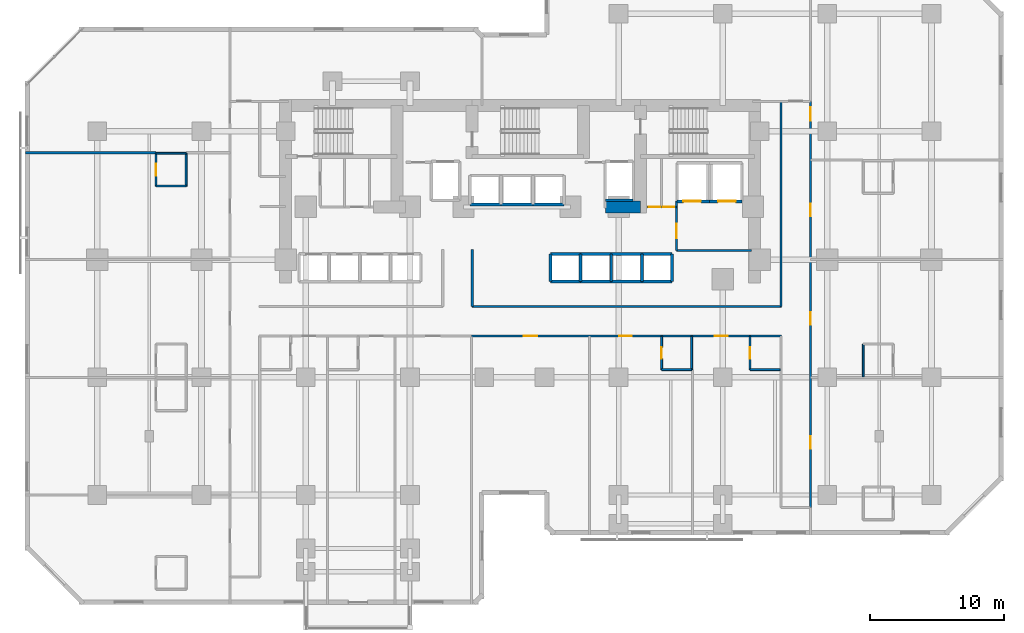
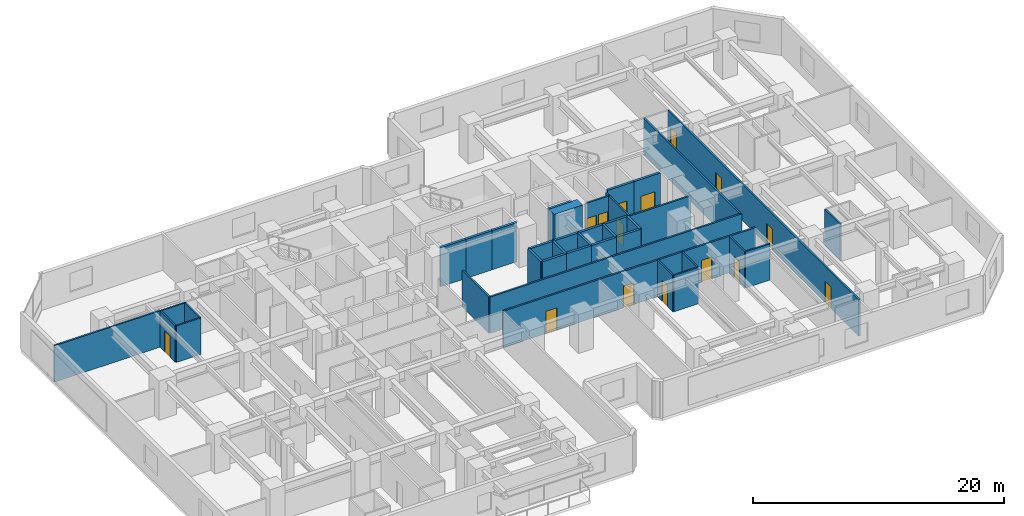
# One storey, part 7 of 12: 39 walls, 15 doors, 15 openings.
"""IFC4 building model written with IfcOpenShell, lengths in metres."""

from ifc_helpers import new_model, si_unit, direction, frame, frame_2d, origin, place, context, subcontext, project, spatial, rectangle, extrude, material, layer, layer_set, type_object, element, fill, save


model = new_model("IFC4")

# Units and contexts
model_context = context("Model", 3, precision=1e-05, world=origin(), true_north=direction((0.0, 1.0)))
body_context = subcontext(model_context, "Body", "Model", "MODEL_VIEW")
ifc_project = project(units=[si_unit("LENGTHUNIT", "METRE"), si_unit("AREAUNIT", "SQUARE_METRE"), si_unit("VOLUMEUNIT", "CUBIC_METRE"), si_unit("PLANEANGLEUNIT", "RADIAN"), si_unit("MASSUNIT", "GRAM", prefix="KILO")], contexts=[model_context])

# Site, building, storey
site_placement = place(None, origin())
site = spatial("IfcSite", under=ifc_project, at=site_placement, CompositionType="ELEMENT")
building_placement = place(site_placement, origin())
building = spatial("IfcBuilding", under=site, at=building_placement, Name="Kestravale Grand Hotel", CompositionType="ELEMENT")
storey_placement = place(building_placement, frame((0.0, 0.0, 56.39990234375)))
storey = spatial("IfcBuildingStorey", under=building, at=storey_placement, Name="L13", CompositionType="ELEMENT", Elevation=56.39990234375)

# Wall
ifc_material_1 = material(Name="Concrete f'c 70 MPa", Category="concrete")
ifc_layer_1 = layer(ifc_material_1, 0.89990234375)
ifc_layer_set_1 = layer_set([ifc_layer_1], Name="EW-CORE-900")
wall_type_1 = type_object("IfcWallType", Name="EW-CORE-900", PredefinedType="SHEAR", material=ifc_layer_set_1)
wall_1_placement = place(storey_placement, frame((45.81005859375, 32.75, 0.0), z_axis=(0.0, 0.0, 1.0), x_axis=(1.0, 0.0, 0.0)))
element("IfcWall", 1, at=wall_1_placement, inside=storey, type_object=wall_type_1, Name="L13 core shear wall S2", PredefinedType="SHEAR", context=body_context, shape_type="SweptSolid", body=[
    extrude(rectangle(XDim=2.639892578125, YDim=0.89990234375, at=frame_2d((1.31982421875, 0.0))), origin(), (0.0, 0.0, 1.0), 3.800048828125),
])

# Wall, opening, door
ifc_material_2 = material(Name="Acoustic fire-rated gypsum board partition", Category="other")
ifc_layer_2 = layer(ifc_material_2, 0.159912109375)
ifc_layer_set_2 = layer_set([ifc_layer_2], Name="IW-CORR-160")
wall_type_2 = type_object("IfcWallType", Name="IW-CORR-160", PredefinedType="PARTITIONING", material=ifc_layer_set_2)
wall_2_placement = place(storey_placement, frame((51.1201171875, 29.5, 0.0), z_axis=(0.0, 0.0, 1.0), x_axis=(0.0, 1.0, 0.0)))
wall_2 = element("IfcWall", 2, at=wall_2_placement, inside=storey, type_object=wall_type_2, Name="W-L13-SVCLOB-W", PredefinedType="PARTITIONING", context=body_context, shape_type="SweptSolid", body=[
    extrude(rectangle(XDim=3.699951171875, YDim=0.159912109375, at=frame_2d((1.85009765625, 0.0))), origin(), (0.0, 0.0, 1.0), 3.5400390625),
])
opening_1_placement = place(wall_2_placement, frame((0.89990234375, 0.0, 0.0)))
opening_1 = element("IfcOpeningElement", 3, at=opening_1_placement, cuts=wall_2, Name="Opening D-CORR-1100", PredefinedType="OPENING", context=body_context, shape_type="SweptSolid", body=[
    extrude(rectangle(XDim=1.10009765625, YDim=2.14990234375, at=frame_2d((0.550048828125, 1.074951171875))), frame((0.0, 0.08984375, 0.0), z_axis=(0.0, -1.0, 0.0), x_axis=(1.0, 0.0, 0.0)), (0.0, 0.0, 1.0), 0.179931640625),
])
ifc_material_3 = material(Name="Single-leaf service vestibule fire door", Category="steel")
door_type_1 = type_object("IfcDoorType", Name="D-CORR-1100", OperationType="NOTDEFINED", PredefinedType="DOOR", material=ifc_material_3)
door_1_placement = place(opening_1_placement, origin())
door_1 = element("IfcDoor", 4, at=door_1_placement, inside=storey, type_object=door_type_1, Name="L13 service lift lobby door", OperationType="SINGLE_SWING_LEFT", OverallHeight=2.14990234375, OverallWidth=1.10009765625, PredefinedType="DOOR", context=body_context, shape_type="SweptSolid", body=[
    extrude(rectangle(XDim=1.10009765625, YDim=2.14990234375, at=frame_2d((0.550048828125, 1.074951171875))), frame((0.0, 0.02490234375, 0.0), z_axis=(0.0, -1.0, 0.0), x_axis=(1.0, 0.0, 0.0)), (0.0, 0.0, 1.0), 0.050048828125),
])
fill(opening_1, door_1)

# Wall
wall_3_placement = place(storey_placement, frame((51.1201171875, 29.5, 0.0), z_axis=(0.0, 0.0, 1.0), x_axis=(1.0, 0.0, 0.0)))
element("IfcWall", 5, at=wall_3_placement, inside=storey, type_object=wall_type_2, Name="L13 service lift lobby wall", PredefinedType="PARTITIONING", context=body_context, shape_type="SweptSolid", body=[
    extrude(rectangle(XDim=5.6298828125, YDim=0.159912109375, at=frame_2d((2.81494140625, 0.0))), origin(), (0.0, 0.0, 1.0), 3.5400390625),
])

# Wall, openings, doors
wall_4_placement = place(storey_placement, frame((48.919921875, 32.75, 0.0), z_axis=(0.0, 0.0, 1.0), x_axis=(1.0, 0.0, 0.0)))
wall_4 = element("IfcWall", 6, at=wall_4_placement, inside=storey, type_object=wall_type_2, Name="W-L13-CES", PredefinedType="PARTITIONING", context=body_context, shape_type="SweptSolid", body=[
    extrude(rectangle(XDim=2.2001953125, YDim=0.159912109375, at=frame_2d((1.10009765625, 0.0))), origin(), (0.0, 0.0, 1.0), 3.5400390625),
])
opening_2_placement = place(wall_4_placement, frame((0.139892578125, 0.0, 0.0)))
opening_2 = element("IfcOpeningElement", 7, at=opening_2_placement, cuts=wall_4, Name="Opening D-SH-860", PredefinedType="OPENING", context=body_context, shape_type="SweptSolid", body=[
    extrude(rectangle(XDim=0.860107421875, YDim=2.050048828125, at=frame_2d((0.43017578125, 1.02490234375))), frame((0.0, 0.08984375, 0.0), z_axis=(0.0, -1.0, 0.0), x_axis=(1.0, 0.0, 0.0)), (0.0, 0.0, 1.0), 0.179931640625),
])
opening_3_placement = place(wall_4_placement, frame((1.199951171875, 0.0, 0.0)))
opening_3 = element("IfcOpeningElement", 8, at=opening_3_placement, cuts=wall_4, Name="Opening D-SH-860", PredefinedType="OPENING", context=body_context, shape_type="SweptSolid", body=[
    extrude(rectangle(XDim=0.860107421875, YDim=2.050048828125, at=frame_2d((0.43017578125, 1.02490234375))), frame((0.0, 0.08984375, 0.0), z_axis=(0.0, -1.0, 0.0), x_axis=(1.0, 0.0, 0.0)), (0.0, 0.0, 1.0), 0.179931640625),
])
ifc_material_4 = material(Name="Galvanised 90-minute riser fire door", Category="steel")
door_type_2 = type_object("IfcDoorType", Name="D-SH-860", OperationType="NOTDEFINED", PredefinedType="DOOR", material=ifc_material_4)
door_2_placement = place(opening_2_placement, origin())
door_2 = element("IfcDoor", 9, at=door_2_placement, inside=storey, type_object=door_type_2, Name="L13 CSTO1 door", OperationType="SINGLE_SWING_LEFT", OverallHeight=2.050048828125, OverallWidth=0.860107421875, PredefinedType="DOOR", context=body_context, shape_type="SweptSolid", body=[
    extrude(rectangle(XDim=0.860107421875, YDim=2.050048828125, at=frame_2d((0.43017578125, 1.02490234375))), frame((0.0, 0.02490234375, 0.0), z_axis=(0.0, -1.0, 0.0), x_axis=(1.0, 0.0, 0.0)), (0.0, 0.0, 1.0), 0.050048828125),
])
fill(opening_2, door_2)
door_3_placement = place(opening_3_placement, origin())
door_3 = element("IfcDoor", 10, at=door_3_placement, inside=storey, type_object=door_type_2, Name="L13 CSTO2 door", OperationType="SINGLE_SWING_RIGHT", OverallHeight=2.050048828125, OverallWidth=0.860107421875, PredefinedType="DOOR", context=body_context, shape_type="SweptSolid", body=[
    extrude(rectangle(XDim=0.860107421875, YDim=2.050048828125, at=frame_2d((0.43017578125, 1.02490234375))), frame((0.0, 0.02490234375, 0.0), z_axis=(0.0, -1.0, 0.0), x_axis=(1.0, 0.0, 0.0)), (0.0, 0.0, 1.0), 0.050048828125),
])
fill(opening_3, door_3)

# Walls
wall_5_placement = place(storey_placement, frame((35.85009765625, 25.31005859375, 0.0), z_axis=(0.0, 0.0, 1.0), x_axis=(1.0, 0.0, 0.0)))
element("IfcWall", 11, at=wall_5_placement, inside=storey, type_object=wall_type_2, Name="W-L13-CE-N", PredefinedType="PARTITIONING", context=body_context, shape_type="SweptSolid", body=[
    extrude(rectangle(XDim=23.14990234375, YDim=0.159912109375, at=frame_2d((11.574951171875, 0.0))), origin(), (0.0, 0.0, 1.0), 3.5400390625),
])
wall_6_placement = place(storey_placement, frame((35.85009765625, 25.31005859375, 0.0), z_axis=(0.0, 0.0, 1.0), x_axis=(0.0, 1.0, 0.0)))
element("IfcWall", 12, at=wall_6_placement, inside=storey, type_object=wall_type_2, Name="W-L13-TRUNK-E", PredefinedType="PARTITIONING", context=body_context, shape_type="SweptSolid", body=[
    extrude(rectangle(XDim=4.239990234375, YDim=0.159912109375, at=frame_2d((2.1201171875, 0.0))), origin(), (0.0, 0.0, 1.0), 3.5400390625),
])

# Wall, openings, doors
wall_7_placement = place(storey_placement, frame((35.800048828125, 23.090087890625, 0.0), z_axis=(0.0, 0.0, 1.0), x_axis=(1.0, 0.0, 0.0)))
wall_7 = element("IfcWall", 13, at=wall_7_placement, inside=storey, type_object=wall_type_2, Name="W-L13-CE-S", PredefinedType="PARTITIONING", context=body_context, shape_type="SweptSolid", body=[
    extrude(rectangle(XDim=23.199951171875, YDim=0.159912109375, at=frame_2d((11.60009765625, 0.0))), origin(), (0.0, 0.0, 1.0), 3.5400390625),
])
opening_4_placement = place(wall_7_placement, frame((3.90673828125, 0.0, 0.0)))
opening_4 = element("IfcOpeningElement", 14, at=opening_4_placement, cuts=wall_7, Name="Opening D-GUEST-1000", PredefinedType="OPENING", context=body_context, shape_type="SweptSolid", body=[
    extrude(rectangle(XDim=1.0, YDim=2.14990234375, at=frame_2d((0.5, 1.074951171875))), frame((0.0, 0.08984375, 0.0), z_axis=(0.0, -1.0, 0.0), x_axis=(1.0, 0.0, 0.0)), (0.0, 0.0, 1.0), 0.179931640625),
])
opening_5_placement = place(wall_7_placement, frame((11.0400390625, 0.0, 0.0)))
opening_5 = element("IfcOpeningElement", 15, at=opening_5_placement, cuts=wall_7, Name="Opening D-GUEST-950", PredefinedType="OPENING", context=body_context, shape_type="SweptSolid", body=[
    extrude(rectangle(XDim=0.949951171875, YDim=2.10009765625, at=frame_2d((0.47509765625, 1.050048828125))), frame((0.0, 0.08984375, 0.0), z_axis=(0.0, -1.0, 0.0), x_axis=(1.0, 0.0, 0.0)), (0.0, 0.0, 1.0), 0.179931640625),
])
opening_6_placement = place(wall_7_placement, frame((18.203369140625, 0.0, 0.0)))
opening_6 = element("IfcOpeningElement", 16, at=opening_6_placement, cuts=wall_7, Name="Opening D-GUEST-950", PredefinedType="OPENING", context=body_context, shape_type="SweptSolid", body=[
    extrude(rectangle(XDim=0.949951171875, YDim=2.10009765625, at=frame_2d((0.47509765625, 1.050048828125))), frame((0.0, 0.08984375, 0.0), z_axis=(0.0, -1.0, 0.0), x_axis=(1.0, 0.0, 0.0)), (0.0, 0.0, 1.0), 0.179931640625),
])
ifc_material_5 = material(Name="Accessible walnut veneer hotel entrance fire door", Category="wood")
door_type_3 = type_object("IfcDoorType", Name="D-GUEST-1000", OperationType="NOTDEFINED", PredefinedType="DOOR", material=ifc_material_5)
door_4_placement = place(opening_4_placement, origin())
door_4 = element("IfcDoor", 17, at=door_4_placement, inside=storey, type_object=door_type_3, Name="D-L13-AME", OperationType="SINGLE_SWING_RIGHT", OverallHeight=2.14990234375, OverallWidth=1.0, PredefinedType="DOOR", context=body_context, shape_type="SweptSolid", body=[
    extrude(rectangle(XDim=1.0, YDim=2.14990234375, at=frame_2d((0.5, 1.074951171875))), frame((0.0, 0.02490234375, 0.0), z_axis=(0.0, -1.0, 0.0), x_axis=(1.0, 0.0, 0.0)), (0.0, 0.0, 1.0), 0.050048828125),
])
fill(opening_4, door_4)
ifc_material_6 = material(Name="Walnut veneer hotel guestroom entrance fire door", Category="wood")
door_type_4 = type_object("IfcDoorType", Name="D-GUEST-950", OperationType="NOTDEFINED", PredefinedType="DOOR", material=ifc_material_6)
door_5_placement = place(opening_5_placement, origin())
door_5 = element("IfcDoor", 18, at=door_5_placement, inside=storey, type_object=door_type_4, Name="D-L13-U03-ENT", OperationType="SINGLE_SWING_RIGHT", OverallHeight=2.10009765625, OverallWidth=0.949951171875, PredefinedType="DOOR", context=body_context, shape_type="SweptSolid", body=[
    extrude(rectangle(XDim=0.949951171875, YDim=2.10009765625, at=frame_2d((0.47509765625, 1.050048828125))), frame((0.0, 0.02490234375, 0.0), z_axis=(0.0, -1.0, 0.0), x_axis=(1.0, 0.0, 0.0)), (0.0, 0.0, 1.0), 0.050048828125),
])
fill(opening_5, door_5)
door_6_placement = place(opening_6_placement, origin())
door_6 = element("IfcDoor", 19, at=door_6_placement, inside=storey, type_object=door_type_4, Name="D-L13-U04-ENT", OperationType="SINGLE_SWING_RIGHT", OverallHeight=2.10009765625, OverallWidth=0.949951171875, PredefinedType="DOOR", context=body_context, shape_type="SweptSolid", body=[
    extrude(rectangle(XDim=0.949951171875, YDim=2.10009765625, at=frame_2d((0.47509765625, 1.050048828125))), frame((0.0, 0.02490234375, 0.0), z_axis=(0.0, -1.0, 0.0), x_axis=(1.0, 0.0, 0.0)), (0.0, 0.0, 1.0), 0.050048828125),
])
fill(opening_6, door_6)

wall_8_placement = place(storey_placement, frame((61.159912109375, 10.25, 0.0), z_axis=(0.0, 0.0, 1.0), x_axis=(0.0, 1.0, 0.0)))
wall_8 = element("IfcWall", 20, at=wall_8_placement, inside=storey, type_object=wall_type_2, Name="W-L13-SE-E", PredefinedType="PARTITIONING", context=body_context, shape_type="SweptSolid", body=[
    extrude(rectangle(XDim=30.39990234375, YDim=0.159912109375, at=frame_2d((15.199951171875, 0.0))), origin(), (0.0, 0.0, 1.0), 3.5400390625),
])
opening_7_placement = place(wall_8_placement, frame((4.39990234375, 0.0, 0.0)))
opening_7 = element("IfcOpeningElement", 21, at=opening_7_placement, cuts=wall_8, Name="Opening D-GUEST-950", PredefinedType="OPENING", context=body_context, shape_type="SweptSolid", body=[
    extrude(rectangle(XDim=0.949951171875, YDim=2.10009765625, at=frame_2d((0.47509765625, 1.050048828125))), frame((0.0, 0.08984375, 0.0), z_axis=(0.0, -1.0, 0.0), x_axis=(1.0, 0.0, 0.0)), (0.0, 0.0, 1.0), 0.179931640625),
])
opening_8_placement = place(wall_8_placement, frame((13.675048828125, 0.0, 0.0)))
opening_8 = element("IfcOpeningElement", 22, at=opening_8_placement, cuts=wall_8, Name="Opening D-GUEST-950", PredefinedType="OPENING", context=body_context, shape_type="SweptSolid", body=[
    extrude(rectangle(XDim=0.949951171875, YDim=2.10009765625, at=frame_2d((0.47509765625, 1.050048828125))), frame((0.0, 0.08984375, 0.0), z_axis=(0.0, -1.0, 0.0), x_axis=(1.0, 0.0, 0.0)), (0.0, 0.0, 1.0), 0.179931640625),
])
opening_9_placement = place(wall_8_placement, frame((21.800048828125, 0.0, 0.0)))
opening_9 = element("IfcOpeningElement", 23, at=opening_9_placement, cuts=wall_8, Name="Opening D-GUEST-950", PredefinedType="OPENING", context=body_context, shape_type="SweptSolid", body=[
    extrude(rectangle(XDim=0.949951171875, YDim=2.10009765625, at=frame_2d((0.47509765625, 1.050048828125))), frame((0.0, 0.08984375, 0.0), z_axis=(0.0, -1.0, 0.0), x_axis=(1.0, 0.0, 0.0)), (0.0, 0.0, 1.0), 0.179931640625),
])
opening_10_placement = place(wall_8_placement, frame((28.9599609375, 0.0, 0.0)))
opening_10 = element("IfcOpeningElement", 24, at=opening_10_placement, cuts=wall_8, Name="Opening D-GUEST-1000", PredefinedType="OPENING", context=body_context, shape_type="SweptSolid", body=[
    extrude(rectangle(XDim=1.0, YDim=2.14990234375, at=frame_2d((0.5, 1.074951171875))), frame((0.0, 0.08984375, 0.0), z_axis=(0.0, -1.0, 0.0), x_axis=(1.0, 0.0, 0.0)), (0.0, 0.0, 1.0), 0.179931640625),
])
door_7_placement = place(opening_10_placement, origin())
door_7 = element("IfcDoor", 25, at=door_7_placement, inside=storey, type_object=door_type_3, Name="D-L13-AMEW", OperationType="SINGLE_SWING_RIGHT", OverallHeight=2.14990234375, OverallWidth=1.0, PredefinedType="DOOR", context=body_context, shape_type="SweptSolid", body=[
    extrude(rectangle(XDim=1.0, YDim=2.14990234375, at=frame_2d((0.5, 1.074951171875))), frame((0.0, 0.02490234375, 0.0), z_axis=(0.0, -1.0, 0.0), x_axis=(1.0, 0.0, 0.0)), (0.0, 0.0, 1.0), 0.050048828125),
])
fill(opening_10, door_7)
door_8_placement = place(opening_7_placement, origin())
door_8 = element("IfcDoor", 26, at=door_8_placement, inside=storey, type_object=door_type_4, Name="D-L13-U09-ENT", OperationType="SINGLE_SWING_LEFT", OverallHeight=2.10009765625, OverallWidth=0.949951171875, PredefinedType="DOOR", context=body_context, shape_type="SweptSolid", body=[
    extrude(rectangle(XDim=0.949951171875, YDim=2.10009765625, at=frame_2d((0.47509765625, 1.050048828125))), frame((0.0, 0.02490234375, 0.0), z_axis=(0.0, -1.0, 0.0), x_axis=(1.0, 0.0, 0.0)), (0.0, 0.0, 1.0), 0.050048828125),
])
fill(opening_7, door_8)
door_9_placement = place(opening_8_placement, origin())
door_9 = element("IfcDoor", 27, at=door_9_placement, inside=storey, type_object=door_type_4, Name="D-L13-U10-ENT", OperationType="SINGLE_SWING_LEFT", OverallHeight=2.10009765625, OverallWidth=0.949951171875, PredefinedType="DOOR", context=body_context, shape_type="SweptSolid", body=[
    extrude(rectangle(XDim=0.949951171875, YDim=2.10009765625, at=frame_2d((0.47509765625, 1.050048828125))), frame((0.0, 0.02490234375, 0.0), z_axis=(0.0, -1.0, 0.0), x_axis=(1.0, 0.0, 0.0)), (0.0, 0.0, 1.0), 0.050048828125),
])
fill(opening_8, door_9)
door_10_placement = place(opening_9_placement, origin())
door_10 = element("IfcDoor", 28, at=door_10_placement, inside=storey, type_object=door_type_4, Name="D-L13-U11-ENT", OperationType="SINGLE_SWING_LEFT", OverallHeight=2.10009765625, OverallWidth=0.949951171875, PredefinedType="DOOR", context=body_context, shape_type="SweptSolid", body=[
    extrude(rectangle(XDim=0.949951171875, YDim=2.10009765625, at=frame_2d((0.47509765625, 1.050048828125))), frame((0.0, 0.02490234375, 0.0), z_axis=(0.0, -1.0, 0.0), x_axis=(1.0, 0.0, 0.0)), (0.0, 0.0, 1.0), 0.050048828125),
])
fill(opening_9, door_10)

# Wall
wall_9_placement = place(storey_placement, frame((58.93994140625, 25.31005859375, 0.0), z_axis=(0.0, 0.0, 1.0), x_axis=(0.0, 1.0, 0.0)))
element("IfcWall", 29, at=wall_9_placement, inside=storey, type_object=wall_type_2, Name="W-L13-SE-WU", PredefinedType="PARTITIONING", context=body_context, shape_type="SweptSolid", body=[
    extrude(rectangle(XDim=15.33984375, YDim=0.159912109375, at=frame_2d((7.669921875, 0.0))), origin(), (0.0, 0.0, 1.0), 3.5400390625),
])

# Wall, opening, door
ifc_material_7 = material(Name="Moisture-resistant tile-backer plumbing chase wall", Category="other")
ifc_layer_3 = layer(ifc_material_7, 0.139892578125)
ifc_layer_set_3 = layer_set([ifc_layer_3], Name="IW-PLB-140")
wall_type_3 = type_object("IfcWallType", Name="IW-PLB-140", PredefinedType="PLUMBINGWALL", material=ifc_layer_set_3)
wall_10_placement = place(storey_placement, frame((50.0166015625, 20.580078125, 0.0), z_axis=(0.0, 0.0, 1.0), x_axis=(0.0, 1.0, 0.0)))
wall_10 = element("IfcWall", 30, at=wall_10_placement, inside=storey, type_object=wall_type_3, Name="W-L13-U03-BW", PredefinedType="PLUMBINGWALL", context=body_context, shape_type="SweptSolid", body=[
    extrude(rectangle(XDim=2.489990234375, YDim=0.139892578125, at=frame_2d((1.2451171875, 0.0))), origin(), (0.0, 0.0, 1.0), 3.5400390625),
])
opening_11_placement = place(wall_10_placement, frame((0.804931640625, 0.0, 0.0)))
opening_11 = element("IfcOpeningElement", 31, at=opening_11_placement, cuts=wall_10, Name="Opening D-BATH-880", PredefinedType="OPENING", context=body_context, shape_type="SweptSolid", body=[
    extrude(rectangle(XDim=0.8798828125, YDim=2.050048828125, at=frame_2d((0.43994140625, 1.02490234375))), frame((0.0, 0.079833984375, 0.0), z_axis=(0.0, -1.0, 0.0), x_axis=(1.0, 0.0, 0.0)), (0.0, 0.0, 1.0), 0.159912109375),
])
ifc_material_8 = material(Name="Moisture-sealed walnut en-suite bathroom door", Category="wood")
door_type_5 = type_object("IfcDoorType", Name="D-BATH-880", OperationType="NOTDEFINED", PredefinedType="DOOR", material=ifc_material_8)
door_11_placement = place(opening_11_placement, origin())
door_11 = element("IfcDoor", 32, at=door_11_placement, inside=storey, type_object=door_type_5, Name="D-L13-U03-BATH", OperationType="SINGLE_SWING_LEFT", OverallHeight=2.050048828125, OverallWidth=0.8798828125, PredefinedType="DOOR", context=body_context, shape_type="SweptSolid", body=[
    extrude(rectangle(XDim=0.8798828125, YDim=2.050048828125, at=frame_2d((0.43994140625, 1.02490234375))), frame((0.0, 0.02490234375, 0.0), z_axis=(0.0, -1.0, 0.0), x_axis=(1.0, 0.0, 0.0)), (0.0, 0.0, 1.0), 0.050048828125),
])
fill(opening_11, door_11)

# Walls
wall_11_placement = place(storey_placement, frame((52.2666015625, 20.580078125, 0.0), z_axis=(0.0, 0.0, 1.0), x_axis=(0.0, 1.0, 0.0)))
element("IfcWall", 33, at=wall_11_placement, inside=storey, type_object=wall_type_3, Name="W-L13-U03-BE", PredefinedType="PLUMBINGWALL", context=body_context, shape_type="SweptSolid", body=[
    extrude(rectangle(XDim=2.489990234375, YDim=0.139892578125, at=frame_2d((1.2451171875, 0.0))), origin(), (0.0, 0.0, 1.0), 3.5400390625),
])
wall_12_placement = place(storey_placement, frame((50.0166015625, 20.580078125, 0.0), z_axis=(0.0, 0.0, 1.0), x_axis=(1.0, 0.0, 0.0)))
element("IfcWall", 34, at=wall_12_placement, inside=storey, type_object=wall_type_3, Name="W-L13-U03-BS", PredefinedType="PLUMBINGWALL", context=body_context, shape_type="SweptSolid", body=[
    extrude(rectangle(XDim=2.25, YDim=0.139892578125, at=frame_2d((1.125, 0.0))), origin(), (0.0, 0.0, 1.0), 3.5400390625),
])

# Wall, opening, door
wall_13_placement = place(storey_placement, frame((56.6298828125, 20.580078125, 0.0), z_axis=(0.0, 0.0, 1.0), x_axis=(0.0, 1.0, 0.0)))
wall_13 = element("IfcWall", 35, at=wall_13_placement, inside=storey, type_object=wall_type_3, Name="W-L13-U04-BW", PredefinedType="PLUMBINGWALL", context=body_context, shape_type="SweptSolid", body=[
    extrude(rectangle(XDim=2.489990234375, YDim=0.139892578125, at=frame_2d((1.2451171875, 0.0))), origin(), (0.0, 0.0, 1.0), 3.5400390625),
])
opening_12_placement = place(wall_13_placement, frame((0.804931640625, 0.0, 0.0)))
opening_12 = element("IfcOpeningElement", 36, at=opening_12_placement, cuts=wall_13, Name="Opening D-BATH-880", PredefinedType="OPENING", context=body_context, shape_type="SweptSolid", body=[
    extrude(rectangle(XDim=0.8798828125, YDim=2.050048828125, at=frame_2d((0.43994140625, 1.02490234375))), frame((0.0, 0.079833984375, 0.0), z_axis=(0.0, -1.0, 0.0), x_axis=(1.0, 0.0, 0.0)), (0.0, 0.0, 1.0), 0.159912109375),
])
door_12_placement = place(opening_12_placement, origin())
door_12 = element("IfcDoor", 37, at=door_12_placement, inside=storey, type_object=door_type_5, Name="D-L13-U04-BATH", OperationType="SINGLE_SWING_LEFT", OverallHeight=2.050048828125, OverallWidth=0.8798828125, PredefinedType="DOOR", context=body_context, shape_type="SweptSolid", body=[
    extrude(rectangle(XDim=0.8798828125, YDim=2.050048828125, at=frame_2d((0.43994140625, 1.02490234375))), frame((0.0, 0.02490234375, 0.0), z_axis=(0.0, -1.0, 0.0), x_axis=(1.0, 0.0, 0.0)), (0.0, 0.0, 1.0), 0.050048828125),
])
fill(opening_12, door_12)

# Wall
wall_14_placement = place(storey_placement, frame((56.6298828125, 20.580078125, 0.0), z_axis=(0.0, 0.0, 1.0), x_axis=(1.0, 0.0, 0.0)))
element("IfcWall", 38, at=wall_14_placement, inside=storey, type_object=wall_type_3, Name="W-L13-U04-BS", PredefinedType="PLUMBINGWALL", context=body_context, shape_type="SweptSolid", body=[
    extrude(rectangle(XDim=2.25, YDim=0.139892578125, at=frame_2d((1.125, 0.0))), origin(), (0.0, 0.0, 1.0), 3.5400390625),
])

# Wall, opening, door
wall_15_placement = place(storey_placement, frame((12.199951171875, 34.31005859375, 0.0), z_axis=(0.0, 0.0, 1.0), x_axis=(0.0, 1.0, 0.0)))
wall_15 = element("IfcWall", 39, at=wall_15_placement, inside=storey, type_object=wall_type_3, Name="W-L13-U08-BW", PredefinedType="PLUMBINGWALL", context=body_context, shape_type="SweptSolid", body=[
    extrude(rectangle(XDim=2.449951171875, YDim=0.139892578125, at=frame_2d((1.22509765625, 0.0))), origin(), (0.0, 0.0, 1.0), 3.5400390625),
])
opening_13_placement = place(wall_15_placement, frame((0.784912109375, 0.0, 0.0)))
opening_13 = element("IfcOpeningElement", 40, at=opening_13_placement, cuts=wall_15, Name="Opening D-BATH-880", PredefinedType="OPENING", context=body_context, shape_type="SweptSolid", body=[
    extrude(rectangle(XDim=0.8798828125, YDim=2.050048828125, at=frame_2d((0.43994140625, 1.02490234375))), frame((0.0, 0.079833984375, 0.0), z_axis=(0.0, -1.0, 0.0), x_axis=(1.0, 0.0, 0.0)), (0.0, 0.0, 1.0), 0.159912109375),
])
door_13_placement = place(opening_13_placement, origin())
door_13 = element("IfcDoor", 41, at=door_13_placement, inside=storey, type_object=door_type_5, Name="D-L13-U08-BATH", OperationType="SINGLE_SWING_LEFT", OverallHeight=2.050048828125, OverallWidth=0.8798828125, PredefinedType="DOOR", context=body_context, shape_type="SweptSolid", body=[
    extrude(rectangle(XDim=0.8798828125, YDim=2.050048828125, at=frame_2d((0.43994140625, 1.02490234375))), frame((0.0, 0.02490234375, 0.0), z_axis=(0.0, -1.0, 0.0), x_axis=(1.0, 0.0, 0.0)), (0.0, 0.0, 1.0), 0.050048828125),
])
fill(opening_13, door_13)

# Walls
wall_16_placement = place(storey_placement, frame((14.449951171875, 34.31005859375, 0.0), z_axis=(0.0, 0.0, 1.0), x_axis=(0.0, 1.0, 0.0)))
element("IfcWall", 42, at=wall_16_placement, inside=storey, type_object=wall_type_3, Name="W-L13-U08-BE", PredefinedType="PLUMBINGWALL", context=body_context, shape_type="SweptSolid", body=[
    extrude(rectangle(XDim=2.449951171875, YDim=0.139892578125, at=frame_2d((1.22509765625, 0.0))), origin(), (0.0, 0.0, 1.0), 3.5400390625),
])
for number, where, z_axis, x_axis, name in (
    (43, (12.199951171875, 34.31005859375, 0.0), (0.0, 0.0, 1.0), (1.0, 0.0, 0.0), "W-L13-U08-BS"),
    (44, (12.199951171875, 36.760009765625, 0.0), (0.0, 0.0, 1.0), (1.0, 0.0, 0.0), "W-L13-U08-BN"),
):
    element("IfcWall", number, at=place(storey_placement, frame(where, z_axis=z_axis, x_axis=x_axis)), inside=storey, type_object=wall_type_3, Name=name, PredefinedType="PLUMBINGWALL", context=body_context, shape_type="SweptSolid", body=[
        extrude(rectangle(XDim=2.25, YDim=0.139892578125, at=frame_2d((1.125, 0.0))), origin(), (0.0, 0.0, 1.0), 3.5400390625),
    ])
wall_17_placement = place(storey_placement, frame((65.10009765625, 20.0400390625, 0.0), z_axis=(0.0, 0.0, 1.0), x_axis=(0.0, 1.0, 0.0)))
element("IfcWall", 45, at=wall_17_placement, inside=storey, type_object=wall_type_3, Name="W-L13-U10-BW", PredefinedType="PLUMBINGWALL", context=body_context, shape_type="SweptSolid", body=[
    extrude(rectangle(XDim=2.449951171875, YDim=0.139892578125, at=frame_2d((1.22509765625, 0.0))), origin(), (0.0, 0.0, 1.0), 3.5400390625),
])
ifc_material_9 = material(Name="Concrete f'c 45 MPa", Category="concrete")
ifc_layer_4 = layer(ifc_material_9, 0.199951171875)
ifc_layer_set_4 = layer_set([ifc_layer_4], Name="IW-SHAFT-200")
wall_type_4 = type_object("IfcWallType", Name="IW-SHAFT-200", PredefinedType="SHEAR", material=ifc_layer_set_4)
for number, where, z_axis, x_axis, name in (
    (46, (41.705078125, 27.169921875, 0.0), (0.0, 0.0, 1.0), (0.0, 1.0, 0.0), "L13 PL-M1 west shaft wall"),
    (47, (43.949951171875, 27.169921875, 0.0), (0.0, 0.0, 1.0), (0.0, 1.0, 0.0), "L13 PL-M2 west shaft wall"),
    (48, (46.25, 27.169921875, 0.0), (0.0, 0.0, 1.0), (0.0, 1.0, 0.0), "L13 PL-M3 west shaft wall"),
    (49, (48.550048828125, 27.169921875, 0.0), (0.0, 0.0, 1.0), (0.0, 1.0, 0.0), "L13 PL-M4 west shaft wall"),
    (50, (50.794921875, 27.169921875, 0.0), (0.0, 0.0, 1.0), (0.0, 1.0, 0.0), "L13 PL-M4 east shaft wall"),
):
    element("IfcWall", number, at=place(storey_placement, frame(where, z_axis=z_axis, x_axis=x_axis)), inside=storey, type_object=wall_type_4, Name=name, PredefinedType="SHEAR", context=body_context, shape_type="SweptSolid", body=[
        extrude(rectangle(XDim=2.06005859375, YDim=0.199951171875, at=frame_2d((1.030029296875, 0.0))), origin(), (0.0, 0.0, 1.0), 3.800048828125),
    ])
ifc_material_10 = material(Name="Concrete f'c 45 MPa", Category="concrete")
ifc_layer_5 = layer(ifc_material_10, 0.219970703125)
ifc_layer_set_5 = layer_set([ifc_layer_5], Name="IW-SHAFT-220")
wall_type_5 = type_object("IfcWallType", Name="IW-SHAFT-220", PredefinedType="SHEAR", material=ifc_layer_set_5)
for number, where, z_axis, x_axis, name in (
    (51, (41.705078125, 29.22998046875, 0.0), (0.0, 0.0, 1.0), (1.0, 0.0, 0.0), "L13 PL-M1 north shaft wall"),
    (52, (41.705078125, 27.169921875, 0.0), (0.0, 0.0, 1.0), (1.0, 0.0, 0.0), "L13 PL-M1 south shaft wall"),
):
    element("IfcWall", number, at=place(storey_placement, frame(where, z_axis=z_axis, x_axis=x_axis)), inside=storey, type_object=wall_type_5, Name=name, PredefinedType="SHEAR", context=body_context, shape_type="SweptSolid", body=[
        extrude(rectangle(XDim=2.244873046875, YDim=0.219970703125, at=frame_2d((1.12255859375, 0.0))), origin(), (0.0, 0.0, 1.0), 3.800048828125),
    ])
for number, where, z_axis, x_axis, name in (
    (53, (43.949951171875, 29.22998046875, 0.0), (0.0, 0.0, 1.0), (1.0, 0.0, 0.0), "L13 PL-M2 north shaft wall"),
    (54, (43.949951171875, 27.169921875, 0.0), (0.0, 0.0, 1.0), (1.0, 0.0, 0.0), "L13 PL-M2 south shaft wall"),
    (55, (46.25, 29.22998046875, 0.0), (0.0, 0.0, 1.0), (1.0, 0.0, 0.0), "L13 PL-M3 north shaft wall"),
    (56, (46.25, 27.169921875, 0.0), (0.0, 0.0, 1.0), (1.0, 0.0, 0.0), "L13 PL-M3 south shaft wall"),
):
    element("IfcWall", number, at=place(storey_placement, frame(where, z_axis=z_axis, x_axis=x_axis)), inside=storey, type_object=wall_type_5, Name=name, PredefinedType="SHEAR", context=body_context, shape_type="SweptSolid", body=[
        extrude(rectangle(XDim=2.300048828125, YDim=0.219970703125, at=frame_2d((1.14990234375, 0.0))), origin(), (0.0, 0.0, 1.0), 3.800048828125),
    ])
for number, where, z_axis, x_axis, name in (
    (57, (48.550048828125, 29.22998046875, 0.0), (0.0, 0.0, 1.0), (1.0, 0.0, 0.0), "L13 PL-M4 north shaft wall"),
    (58, (48.550048828125, 27.169921875, 0.0), (0.0, 0.0, 1.0), (1.0, 0.0, 0.0), "L13 PL-M4 south shaft wall"),
):
    element("IfcWall", number, at=place(storey_placement, frame(where, z_axis=z_axis, x_axis=x_axis)), inside=storey, type_object=wall_type_5, Name=name, PredefinedType="SHEAR", context=body_context, shape_type="SweptSolid", body=[
        extrude(rectangle(XDim=2.244873046875, YDim=0.219970703125, at=frame_2d((1.12255859375, 0.0))), origin(), (0.0, 0.0, 1.0), 3.800048828125),
    ])
wall_18_placement = place(storey_placement, frame((35.679931640625, 32.919921875, 0.0), z_axis=(0.0, 0.0, 1.0), x_axis=(1.0, 0.0, 0.0)))
element("IfcWall", 59, at=wall_18_placement, inside=storey, type_object=wall_type_5, Name="L13 PL-X1 south shaft wall", PredefinedType="SHEAR", context=body_context, shape_type="SweptSolid", body=[
    extrude(rectangle(XDim=2.320068359375, YDim=0.219970703125, at=frame_2d((1.16015625, 0.0))), origin(), (0.0, 0.0, 1.0), 3.800048828125),
])
wall_19_placement = place(storey_placement, frame((38.0, 32.919921875, 0.0), z_axis=(0.0, 0.0, 1.0), x_axis=(1.0, 0.0, 0.0)))
element("IfcWall", 60, at=wall_19_placement, inside=storey, type_object=wall_type_5, Name="L13 PL-X2 south shaft wall", PredefinedType="SHEAR", context=body_context, shape_type="SweptSolid", body=[
    extrude(rectangle(XDim=2.39990234375, YDim=0.219970703125, at=frame_2d((1.199951171875, 0.0))), origin(), (0.0, 0.0, 1.0), 3.800048828125),
])
wall_20_placement = place(storey_placement, frame((40.39990234375, 32.919921875, 0.0), z_axis=(0.0, 0.0, 1.0), x_axis=(1.0, 0.0, 0.0)))
element("IfcWall", 61, at=wall_20_placement, inside=storey, type_object=wall_type_5, Name="L13 PL-X3 south shaft wall", PredefinedType="SHEAR", context=body_context, shape_type="SweptSolid", body=[
    extrude(rectangle(XDim=2.320068359375, YDim=0.219970703125, at=frame_2d((1.16015625, 0.0))), origin(), (0.0, 0.0, 1.0), 3.800048828125),
])

# Wall, opening, door
wall_21_placement = place(storey_placement, frame((51.179931640625, 33.169921875, 0.0), z_axis=(0.0, 0.0, 1.0), x_axis=(1.0, 0.0, 0.0)))
wall_21 = element("IfcWall", 62, at=wall_21_placement, inside=storey, type_object=wall_type_5, Name="L13 SL-1 south shaft wall", PredefinedType="SHEAR", context=body_context, shape_type="SweptSolid", body=[
    extrude(rectangle(XDim=2.420166015625, YDim=0.219970703125, at=frame_2d((1.2099609375, 0.0))), origin(), (0.0, 0.0, 1.0), 3.800048828125),
])
opening_14_placement = place(wall_21_placement, frame((0.469970703125, 0.0, 0.0)))
opening_14 = element("IfcOpeningElement", 63, at=opening_14_placement, cuts=wall_21, Name="Opening LD-SVC-1300", PredefinedType="OPENING", context=body_context, shape_type="SweptSolid", body=[
    extrude(rectangle(XDim=1.300048828125, YDim=2.14990234375, at=frame_2d((0.64990234375, 1.074951171875))), frame((0.0, 0.119873046875, 0.0), z_axis=(0.0, -1.0, 0.0), x_axis=(1.0, 0.0, 0.0)), (0.0, 0.0, 1.0), 0.239990234375),
])
ifc_material_11 = material(Name="Heavy-duty service sliding elevator landing door", Category="steel")
door_type_6 = type_object("IfcDoorType", Name="LD-SVC-1300", OperationType="NOTDEFINED", PredefinedType="DOOR", material=ifc_material_11)
door_14_placement = place(opening_14_placement, origin())
door_14 = element("IfcDoor", 64, at=door_14_placement, inside=storey, type_object=door_type_6, Name="L13 SL-1 elevator landing sliding door", OperationType="DOUBLE_DOOR_SLIDING", OverallHeight=2.14990234375, OverallWidth=1.300048828125, PredefinedType="DOOR", context=body_context, shape_type="SweptSolid", body=[
    extrude(rectangle(XDim=1.300048828125, YDim=2.14990234375, at=frame_2d((0.64990234375, 1.074951171875))), frame((0.0, 0.02490234375, 0.0), z_axis=(0.0, -1.0, 0.0), x_axis=(1.0, 0.0, 0.0)), (0.0, 0.0, 1.0), 0.050048828125),
])
fill(opening_14, door_14)

wall_22_placement = place(storey_placement, frame((53.60009765625, 33.169921875, 0.0), z_axis=(0.0, 0.0, 1.0), x_axis=(1.0, 0.0, 0.0)))
wall_22 = element("IfcWall", 65, at=wall_22_placement, inside=storey, type_object=wall_type_5, Name="L13 SL-2 south shaft wall", PredefinedType="SHEAR", context=body_context, shape_type="SweptSolid", body=[
    extrude(rectangle(XDim=2.419921875, YDim=0.219970703125, at=frame_2d((1.2099609375, 0.0))), origin(), (0.0, 0.0, 1.0), 3.800048828125),
])
opening_15_placement = place(wall_22_placement, frame((0.64990234375, 0.0, 0.0)))
opening_15 = element("IfcOpeningElement", 66, at=opening_15_placement, cuts=wall_22, Name="Opening LD-SVC-1300", PredefinedType="OPENING", context=body_context, shape_type="SweptSolid", body=[
    extrude(rectangle(XDim=1.300048828125, YDim=2.14990234375, at=frame_2d((0.64990234375, 1.074951171875))), frame((0.0, 0.119873046875, 0.0), z_axis=(0.0, -1.0, 0.0), x_axis=(1.0, 0.0, 0.0)), (0.0, 0.0, 1.0), 0.239990234375),
])
door_15_placement = place(opening_15_placement, origin())
door_15 = element("IfcDoor", 67, at=door_15_placement, inside=storey, type_object=door_type_6, Name="L13 SL-2 elevator landing sliding door", OperationType="DOUBLE_DOOR_SLIDING", OverallHeight=2.14990234375, OverallWidth=1.300048828125, PredefinedType="DOOR", context=body_context, shape_type="SweptSolid", body=[
    extrude(rectangle(XDim=1.300048828125, YDim=2.14990234375, at=frame_2d((0.64990234375, 1.074951171875))), frame((0.0, 0.02490234375, 0.0), z_axis=(0.0, -1.0, 0.0), x_axis=(1.0, 0.0, 0.0)), (0.0, 0.0, 1.0), 0.050048828125),
])
fill(opening_15, door_15)

# Walls
wall_23_placement = place(storey_placement, frame((45.804931640625, 33.2451171875, 0.0), z_axis=(0.0, 0.0, 1.0), x_axis=(1.0, 0.0, 0.0)))
element("IfcWall", 68, at=wall_23_placement, inside=storey, type_object=wall_type_5, Name="L13 FL-2 south shaft wall", PredefinedType="SHEAR", context=body_context, shape_type="SweptSolid", body=[
    extrude(rectangle(XDim=2.090087890625, YDim=0.219970703125, at=frame_2d((1.044921875, 0.0))), origin(), (0.0, 0.0, 1.0), 3.800048828125),
])
ifc_material_12 = material(Name="Double-stud STC 52 acoustic demising partition", Category="other")
ifc_layer_6 = layer(ifc_material_12, 0.14990234375)
ifc_layer_set_6 = layer_set([ifc_layer_6], Name="IW-UNIT-150")
wall_type_6 = type_object("IfcWallType", Name="IW-UNIT-150", PredefinedType="PARTITIONING", material=ifc_layer_set_6)
wall_24_placement = place(storey_placement, frame((2.419921875, 36.800048828125, 0.0), z_axis=(0.0, 0.0, 1.0), x_axis=(1.0, 0.0, 0.0)))
element("IfcWall", 69, at=wall_24_placement, inside=storey, type_object=wall_type_6, Name="W-L13-WW-4", PredefinedType="PARTITIONING", context=body_context, shape_type="SweptSolid", body=[
    extrude(rectangle(XDim=9.780029296875, YDim=0.14990234375, at=frame_2d((4.89013671875, 0.0))), origin(), (0.0, 0.0, 1.0), 3.5400390625),
])

save(model, "model.ifc")
